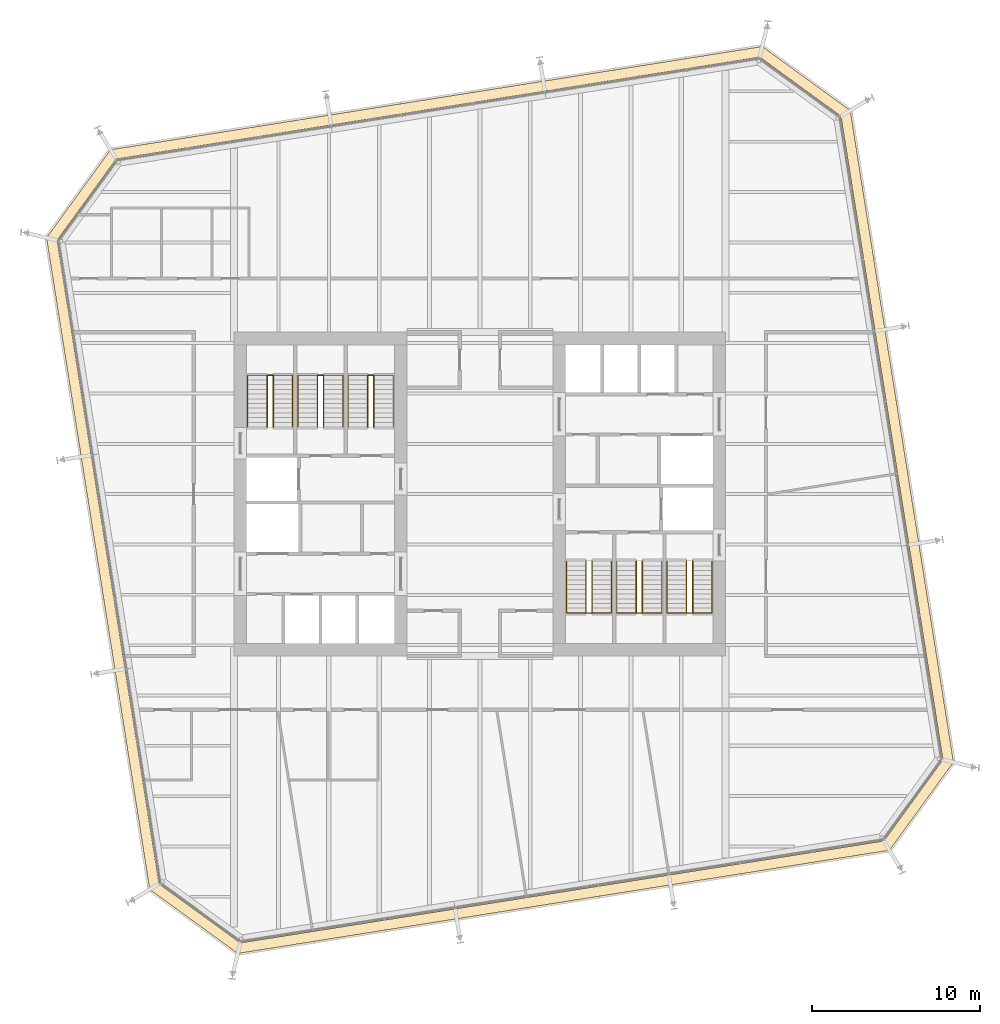
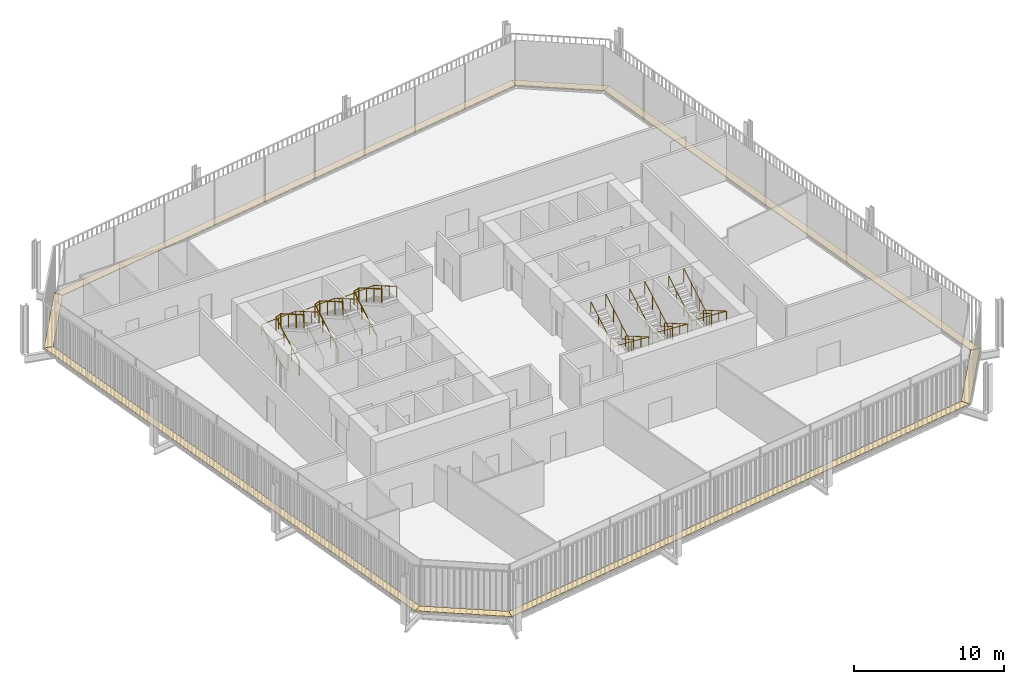
# One storey, part 21 of 21: 12 railings, 8 coverings.
"""IFC4 building model written with IfcOpenShell, lengths in metres."""

from ifc_helpers import new_model, si_unit, direction, frame, origin, origin_2d, place, context, subcontext, project, spatial, polyline, circle, outline, extrude, material, layer, layer_set, type_object, element, save


model = new_model("IFC4")

# Units and contexts
model_context = context("Model", 3, precision=1e-05, world=origin(), true_north=direction((0.0, 1.0)))
body_context = subcontext(model_context, "Body", "Model", "MODEL_VIEW")
ifc_project = project(units=[si_unit("LENGTHUNIT", "METRE"), si_unit("AREAUNIT", "SQUARE_METRE"), si_unit("VOLUMEUNIT", "CUBIC_METRE"), si_unit("PLANEANGLEUNIT", "RADIAN"), si_unit("MASSUNIT", "GRAM", prefix="KILO")], contexts=[model_context])

# Site, building, storey
site_placement = place(None, origin())
site = spatial("IfcSite", under=ifc_project, at=site_placement, CompositionType="ELEMENT")
building_placement = place(site_placement, origin())
building = spatial("IfcBuilding", under=site, at=building_placement, Name="Millrace Tower", CompositionType="ELEMENT")
storey_placement = place(building_placement, frame((0.0, 0.0, 191.699951171875)))
storey = spatial("IfcBuildingStorey", under=building, at=storey_placement, Name="L43", CompositionType="ELEMENT", Elevation=191.699951171875)

# Coverings
ifc_material_1 = material(Name="Steel ASTM A36", Category="steel")
ifc_layer = layer(ifc_material_1, 0.050048828125)
ifc_layer_set = layer_set([ifc_layer], Name="Steel ASTM A36")
covering_type = type_object("IfcCoveringType", Name="CAVITY CATWALK steel grating", PredefinedType="FLOORING", material=ifc_layer_set)
placement = place(storey_placement, frame((0.0, 0.0, 0.10009765625)))
element("IfcCovering", 1, at=placement, inside=storey, type_object=covering_type, Name="Cavity catwalk grating C-F01 L43 1", PredefinedType="FLOORING", context=body_context, shape_type="SweptSolid", body=[
    extrude(outline(polyline([(-19.67578125, -23.562255859375), (-14.425048828125, -27.376953125), (-14.2734375, -26.74560546875), (-19.1220703125, -23.222900390625), (-19.67578125, -23.562255859375)])), origin(), (0.0, 0.0, 1.0), 0.050048828125),
])
element("IfcCovering", 2, at=placement, inside=storey, type_object=covering_type, Name="Cavity catwalk grating C-F02 L43 1", PredefinedType="FLOORING", context=body_context, shape_type="SweptSolid", body=[
    extrude(outline(polyline([(-14.425048828125, -27.376953125), (24.412109375, -21.225830078125), (24.07275390625, -20.672119140625), (-14.2734375, -26.74560546875), (-14.425048828125, -27.376953125)])), origin(), (0.0, 0.0, 1.0), 0.050048828125),
])
element("IfcCovering", 3, at=placement, inside=storey, type_object=covering_type, Name="Cavity catwalk grating C-F03 L43 1", PredefinedType="FLOORING", context=body_context, shape_type="SweptSolid", body=[
    extrude(outline(polyline([(24.412109375, -21.225830078125), (28.22705078125, -15.97509765625), (27.595458984375, -15.823486328125), (24.07275390625, -20.672119140625), (24.412109375, -21.225830078125)])), origin(), (0.0, 0.0, 1.0), 0.050048828125),
])
element("IfcCovering", 4, at=placement, inside=storey, type_object=covering_type, Name="Cavity catwalk grating C-F04 L43 1", PredefinedType="FLOORING", context=body_context, shape_type="SweptSolid", body=[
    extrude(outline(polyline([(28.22705078125, -15.97509765625), (22.075927734375, 22.862060546875), (21.522216796875, 22.522705078125), (27.595458984375, -15.823486328125), (28.22705078125, -15.97509765625)])), origin(), (0.0, 0.0, 1.0), 0.050048828125),
])
element("IfcCovering", 5, at=placement, inside=storey, type_object=covering_type, Name="Cavity catwalk grating C-F05 L43 1", PredefinedType="FLOORING", context=body_context, shape_type="SweptSolid", body=[
    extrude(outline(polyline([(22.075927734375, 22.862060546875), (16.824951171875, 26.677001953125), (16.67333984375, 26.045654296875), (21.522216796875, 22.522705078125), (22.075927734375, 22.862060546875)])), origin(), (0.0, 0.0, 1.0), 0.050048828125),
])
element("IfcCovering", 6, at=placement, inside=storey, type_object=covering_type, Name="Cavity catwalk grating C-F06 L43 1", PredefinedType="FLOORING", context=body_context, shape_type="SweptSolid", body=[
    extrude(outline(polyline([(16.824951171875, 26.677001953125), (-22.01220703125, 20.52587890625), (-21.6728515625, 19.97216796875), (16.67333984375, 26.045654296875), (16.824951171875, 26.677001953125)])), origin(), (0.0, 0.0, 1.0), 0.050048828125),
])
element("IfcCovering", 7, at=placement, inside=storey, type_object=covering_type, Name="Cavity catwalk grating C-F07 L43 1", PredefinedType="FLOORING", context=body_context, shape_type="SweptSolid", body=[
    extrude(outline(polyline([(-22.01220703125, 20.52587890625), (-25.8271484375, 15.275146484375), (-25.195556640625, 15.12353515625), (-21.6728515625, 19.97216796875), (-22.01220703125, 20.52587890625)])), origin(), (0.0, 0.0, 1.0), 0.050048828125),
])
element("IfcCovering", 8, at=placement, inside=storey, type_object=covering_type, Name="Cavity catwalk grating C-F08 L43 1", PredefinedType="FLOORING", context=body_context, shape_type="SweptSolid", body=[
    extrude(outline(polyline([(-25.8271484375, 15.275146484375), (-19.67578125, -23.562255859375), (-19.1220703125, -23.222900390625), (-25.195556640625, 15.12353515625), (-25.8271484375, 15.275146484375)])), origin(), (0.0, 0.0, 1.0), 0.050048828125),
])

# Railings
ifc_material_2 = material(Name="Stainless steel ASTM A240 type 316", Category="steel")
railing_type_1 = type_object("IfcRailingType", Name="Stair guard 1100", PredefinedType="GUARDRAIL", material=ifc_material_2)
for number, where, name in (
    (9, (-12.679931640625, 4.0, 0.16259765625), "Stair guard 1 W L43"),
    (10, (-9.679931640625, 4.0, 0.16259765625), "Stair guard 2 W L43"),
    (11, (-6.679931640625, 4.0, 0.16259765625), "Stair guard 3 W L43"),
):
    element("IfcRailing", number, at=place(storey_placement, frame(where)), inside=storey, type_object=railing_type_1, Name=name, PredefinedType="GUARDRAIL", context=body_context, shape_type="SweptSolid", body=[
        extrude(circle(Radius=0.02392578125, at=origin_2d()), frame((0.0, 0.0, 1.076171875), z_axis=(0.0, 0.864920483161, 0.501908913857), x_axis=(-1.0, 0.0, 0.0)), (0.0, 0.0, 1.0), 3.56103515625),
        extrude(circle(Radius=0.02392578125, at=origin_2d()), frame((0.0, 3.080078125, 2.86328125), z_axis=(0.911295775139, 0.0, 0.411752365158), x_axis=(0.0, 1.0, 0.0)), (0.0, 0.0, 1.0), 0.394775390625),
        extrude(circle(Radius=0.02392578125, at=origin_2d()), frame((0.35986328125, 3.080078125, 3.02587890625), z_axis=(0.0, -0.864890721111, 0.501960198159), x_axis=(1.0, 0.0, 0.0)), (0.0, 0.0, 1.0), 3.561279296875),
        extrude(circle(Radius=0.02099609375, at=origin_2d()), origin(), (0.0, 0.0, 1.0), 1.052001953125),
        extrude(circle(Radius=0.02099609375, at=origin_2d()), frame((0.0, 1.026611328125, 0.595703125)), (0.0, 0.0, 1.0), 1.052001953125),
        extrude(circle(Radius=0.02099609375, at=origin_2d()), frame((0.0, 2.053466796875, 1.191650390625)), (0.0, 0.0, 1.0), 1.052001953125),
        extrude(circle(Radius=0.02099609375, at=origin_2d()), frame((0.0, 3.080078125, 1.787353515625)), (0.0, 0.0, 1.0), 1.052001953125),
        extrude(circle(Radius=0.02099609375, at=origin_2d()), frame((0.35986328125, 3.080078125, 1.949951171875)), (0.0, 0.0, 1.0), 1.052001953125),
        extrude(circle(Radius=0.02099609375, at=origin_2d()), frame((0.35986328125, 2.053466796875, 2.5458984375)), (0.0, 0.0, 1.0), 1.052001953125),
        extrude(circle(Radius=0.02099609375, at=origin_2d()), frame((0.35986328125, 1.026611328125, 3.1416015625)), (0.0, 0.0, 1.0), 1.052001953125),
        extrude(circle(Radius=0.02099609375, at=origin_2d()), frame((0.35986328125, 0.0, 3.737548828125)), (0.0, 0.0, 1.0), 1.052001953125),
    ])
for number, where, name in (
    (12, (12.679931640625, -4.0, 0.16259765625), "Stair guard 1 E L43"),
    (13, (9.679931640625, -4.0, 0.16259765625), "Stair guard 2 E L43"),
    (14, (6.679931640625, -4.0, 0.16259765625), "Stair guard 3 E L43"),
):
    element("IfcRailing", number, at=place(storey_placement, frame(where)), inside=storey, type_object=railing_type_1, Name=name, PredefinedType="GUARDRAIL", context=body_context, shape_type="SweptSolid", body=[
        extrude(circle(Radius=0.02392578125, at=origin_2d()), frame((0.0, 0.0, 1.076171875), z_axis=(0.0, -0.864920483161, 0.501908913857), x_axis=(1.0, 0.0, 0.0)), (0.0, 0.0, 1.0), 3.56103515625),
        extrude(circle(Radius=0.02392578125, at=origin_2d()), frame((0.0, -3.080078125, 2.86328125), z_axis=(-0.911295775139, 0.0, 0.411752365158), x_axis=(0.0, -1.0, 0.0)), (0.0, 0.0, 1.0), 0.394775390625),
        extrude(circle(Radius=0.02392578125, at=origin_2d()), frame((-0.35986328125, -3.080078125, 3.02587890625), z_axis=(0.0, 0.864890721111, 0.501960198159), x_axis=(-1.0, 0.0, 0.0)), (0.0, 0.0, 1.0), 3.561279296875),
        extrude(circle(Radius=0.02099609375, at=origin_2d()), origin(), (0.0, 0.0, 1.0), 1.052001953125),
        extrude(circle(Radius=0.02099609375, at=origin_2d()), frame((0.0, -1.026611328125, 0.595703125)), (0.0, 0.0, 1.0), 1.052001953125),
        extrude(circle(Radius=0.02099609375, at=origin_2d()), frame((0.0, -2.053466796875, 1.191650390625)), (0.0, 0.0, 1.0), 1.052001953125),
        extrude(circle(Radius=0.02099609375, at=origin_2d()), frame((0.0, -3.080078125, 1.787353515625)), (0.0, 0.0, 1.0), 1.052001953125),
        extrude(circle(Radius=0.02099609375, at=origin_2d()), frame((-0.35986328125, -3.080078125, 1.949951171875)), (0.0, 0.0, 1.0), 1.052001953125),
        extrude(circle(Radius=0.02099609375, at=origin_2d()), frame((-0.35986328125, -2.053466796875, 2.5458984375)), (0.0, 0.0, 1.0), 1.052001953125),
        extrude(circle(Radius=0.02099609375, at=origin_2d()), frame((-0.35986328125, -1.026611328125, 3.1416015625)), (0.0, 0.0, 1.0), 1.052001953125),
        extrude(circle(Radius=0.02099609375, at=origin_2d()), frame((-0.35986328125, 0.0, 3.737548828125)), (0.0, 0.0, 1.0), 1.052001953125),
    ])
ifc_material_3 = material(Name="Stainless steel ASTM A240 type 316", Category="steel")
railing_type_2 = type_object("IfcRailingType", Name="Stair handrail 900", PredefinedType="HANDRAIL", material=ifc_material_3)
railing_1_placement = place(storey_placement, frame((-13.840087890625, 4.0, 0.16259765625)))
element("IfcRailing", 15, at=railing_1_placement, inside=storey, type_object=railing_type_2, Name="Stair handrail 1 W L43", PredefinedType="HANDRAIL", context=body_context, shape_type="SweptSolid", body=[
    extrude(circle(Radius=0.02392578125, at=origin_2d()), frame((0.0, 0.0, 0.8759765625), z_axis=(0.0, 0.864920483161, 0.501908913857), x_axis=(-1.0, 0.0, 0.0)), (0.0, 0.0, 1.0), 3.56103515625),
    extrude(circle(Radius=0.02392578125, at=origin_2d()), frame((0.0, 3.080078125, 2.6630859375), z_axis=(0.998164834547, 0.0, 0.060555454528), x_axis=(0.0, 1.0, 0.0)), (0.0, 0.0, 1.0), 2.68505859375),
    extrude(circle(Radius=0.02392578125, at=origin_2d()), frame((2.68017578125, 3.080078125, 2.82568359375), z_axis=(0.0, -0.864890721111, 0.501960198159), x_axis=(1.0, 0.0, 0.0)), (0.0, 0.0, 1.0), 3.561279296875),
    extrude(circle(Radius=0.02099609375, at=origin_2d()), origin(), (0.0, 0.0, 1.0), 0.851806640625),
    extrude(circle(Radius=0.02099609375, at=origin_2d()), frame((0.0, 1.026611328125, 0.595703125)), (0.0, 0.0, 1.0), 0.851806640625),
    extrude(circle(Radius=0.02099609375, at=origin_2d()), frame((0.0, 2.053466796875, 1.191650390625)), (0.0, 0.0, 1.0), 0.851806640625),
    extrude(circle(Radius=0.02099609375, at=origin_2d()), frame((0.0, 3.080078125, 1.787353515625)), (0.0, 0.0, 1.0), 0.851806640625),
    extrude(circle(Radius=0.02099609375, at=origin_2d()), frame((1.340087890625, 3.080078125, 1.86865234375)), (0.0, 0.0, 1.0), 0.851806640625),
    extrude(circle(Radius=0.02099609375, at=origin_2d()), frame((2.68017578125, 3.080078125, 1.949951171875)), (0.0, 0.0, 1.0), 0.851806640625),
    extrude(circle(Radius=0.02099609375, at=origin_2d()), frame((2.68017578125, 2.053466796875, 2.5458984375)), (0.0, 0.0, 1.0), 0.851806640625),
    extrude(circle(Radius=0.02099609375, at=origin_2d()), frame((2.68017578125, 1.026611328125, 3.1416015625)), (0.0, 0.0, 1.0), 0.851806640625),
    extrude(circle(Radius=0.02099609375, at=origin_2d()), frame((2.68017578125, 0.0, 3.737548828125)), (0.0, 0.0, 1.0), 0.851806640625),
])
railing_2_placement = place(storey_placement, frame((-10.840087890625, 4.0, 0.16259765625)))
element("IfcRailing", 16, at=railing_2_placement, inside=storey, type_object=railing_type_2, Name="Stair handrail 2 W L43", PredefinedType="HANDRAIL", context=body_context, shape_type="SweptSolid", body=[
    extrude(circle(Radius=0.02392578125, at=origin_2d()), frame((0.0, 0.0, 0.8759765625), z_axis=(0.0, 0.864920483161, 0.501908913857), x_axis=(-1.0, 0.0, 0.0)), (0.0, 0.0, 1.0), 3.56103515625),
    extrude(circle(Radius=0.02392578125, at=origin_2d()), frame((0.0, 3.080078125, 2.6630859375), z_axis=(0.998164834547, 0.0, 0.060555454528), x_axis=(0.0, 1.0, 0.0)), (0.0, 0.0, 1.0), 2.68505859375),
    extrude(circle(Radius=0.02392578125, at=origin_2d()), frame((2.68017578125, 3.080078125, 2.82568359375), z_axis=(0.0, -0.864890721111, 0.501960198159), x_axis=(1.0, 0.0, 0.0)), (0.0, 0.0, 1.0), 3.561279296875),
    extrude(circle(Radius=0.02099609375, at=origin_2d()), origin(), (0.0, 0.0, 1.0), 0.851806640625),
    extrude(circle(Radius=0.02099609375, at=origin_2d()), frame((0.0, 1.026611328125, 0.595703125)), (0.0, 0.0, 1.0), 0.851806640625),
    extrude(circle(Radius=0.02099609375, at=origin_2d()), frame((0.0, 2.053466796875, 1.191650390625)), (0.0, 0.0, 1.0), 0.851806640625),
    extrude(circle(Radius=0.02099609375, at=origin_2d()), frame((0.0, 3.080078125, 1.787353515625)), (0.0, 0.0, 1.0), 0.851806640625),
    extrude(circle(Radius=0.02099609375, at=origin_2d()), frame((1.340087890625, 3.080078125, 1.86865234375)), (0.0, 0.0, 1.0), 0.851806640625),
    extrude(circle(Radius=0.02099609375, at=origin_2d()), frame((2.68017578125, 3.080078125, 1.949951171875)), (0.0, 0.0, 1.0), 0.851806640625),
    extrude(circle(Radius=0.02099609375, at=origin_2d()), frame((2.68017578125, 2.053466796875, 2.5458984375)), (0.0, 0.0, 1.0), 0.851806640625),
    extrude(circle(Radius=0.02099609375, at=origin_2d()), frame((2.68017578125, 1.026611328125, 3.1416015625)), (0.0, 0.0, 1.0), 0.851806640625),
    extrude(circle(Radius=0.02099609375, at=origin_2d()), frame((2.68017578125, 0.0, 3.737548828125)), (0.0, 0.0, 1.0), 0.851806640625),
])
railing_3_placement = place(storey_placement, frame((-7.840087890625, 4.0, 0.16259765625)))
element("IfcRailing", 17, at=railing_3_placement, inside=storey, type_object=railing_type_2, Name="Stair handrail 3 W L43", PredefinedType="HANDRAIL", context=body_context, shape_type="SweptSolid", body=[
    extrude(circle(Radius=0.02392578125, at=origin_2d()), frame((0.0, 0.0, 0.8759765625), z_axis=(0.0, 0.864920483161, 0.501908913857), x_axis=(-1.0, 0.0, 0.0)), (0.0, 0.0, 1.0), 3.56103515625),
    extrude(circle(Radius=0.02392578125, at=origin_2d()), frame((0.0, 3.080078125, 2.6630859375), z_axis=(0.998164834547, 0.0, 0.060555454528), x_axis=(0.0, 1.0, 0.0)), (0.0, 0.0, 1.0), 2.68505859375),
    extrude(circle(Radius=0.02392578125, at=origin_2d()), frame((2.68017578125, 3.080078125, 2.82568359375), z_axis=(0.0, -0.864890721111, 0.501960198159), x_axis=(1.0, 0.0, 0.0)), (0.0, 0.0, 1.0), 3.561279296875),
    extrude(circle(Radius=0.02099609375, at=origin_2d()), origin(), (0.0, 0.0, 1.0), 0.851806640625),
    extrude(circle(Radius=0.02099609375, at=origin_2d()), frame((0.0, 1.026611328125, 0.595703125)), (0.0, 0.0, 1.0), 0.851806640625),
    extrude(circle(Radius=0.02099609375, at=origin_2d()), frame((0.0, 2.053466796875, 1.191650390625)), (0.0, 0.0, 1.0), 0.851806640625),
    extrude(circle(Radius=0.02099609375, at=origin_2d()), frame((0.0, 3.080078125, 1.787353515625)), (0.0, 0.0, 1.0), 0.851806640625),
    extrude(circle(Radius=0.02099609375, at=origin_2d()), frame((1.340087890625, 3.080078125, 1.86865234375)), (0.0, 0.0, 1.0), 0.851806640625),
    extrude(circle(Radius=0.02099609375, at=origin_2d()), frame((2.68017578125, 3.080078125, 1.949951171875)), (0.0, 0.0, 1.0), 0.851806640625),
    extrude(circle(Radius=0.02099609375, at=origin_2d()), frame((2.68017578125, 2.053466796875, 2.5458984375)), (0.0, 0.0, 1.0), 0.851806640625),
    extrude(circle(Radius=0.02099609375, at=origin_2d()), frame((2.68017578125, 1.026611328125, 3.1416015625)), (0.0, 0.0, 1.0), 0.851806640625),
    extrude(circle(Radius=0.02099609375, at=origin_2d()), frame((2.68017578125, 0.0, 3.737548828125)), (0.0, 0.0, 1.0), 0.851806640625),
])
railing_4_placement = place(storey_placement, frame((13.840087890625, -4.0, 0.16259765625)))
element("IfcRailing", 18, at=railing_4_placement, inside=storey, type_object=railing_type_2, Name="Stair handrail 1 E L43", PredefinedType="HANDRAIL", context=body_context, shape_type="SweptSolid", body=[
    extrude(circle(Radius=0.02392578125, at=origin_2d()), frame((0.0, 0.0, 0.8759765625), z_axis=(0.0, -0.864920483161, 0.501908913857), x_axis=(1.0, 0.0, 0.0)), (0.0, 0.0, 1.0), 3.56103515625),
    extrude(circle(Radius=0.02392578125, at=origin_2d()), frame((0.0, -3.080078125, 2.6630859375), z_axis=(-0.998164834547, 0.0, 0.060555454528), x_axis=(0.0, -1.0, 0.0)), (0.0, 0.0, 1.0), 2.68505859375),
    extrude(circle(Radius=0.02392578125, at=origin_2d()), frame((-2.68017578125, -3.080078125, 2.82568359375), z_axis=(0.0, 0.864890721111, 0.501960198159), x_axis=(-1.0, 0.0, 0.0)), (0.0, 0.0, 1.0), 3.561279296875),
    extrude(circle(Radius=0.02099609375, at=origin_2d()), origin(), (0.0, 0.0, 1.0), 0.851806640625),
    extrude(circle(Radius=0.02099609375, at=origin_2d()), frame((0.0, -1.026611328125, 0.595703125)), (0.0, 0.0, 1.0), 0.851806640625),
    extrude(circle(Radius=0.02099609375, at=origin_2d()), frame((0.0, -2.053466796875, 1.191650390625)), (0.0, 0.0, 1.0), 0.851806640625),
    extrude(circle(Radius=0.02099609375, at=origin_2d()), frame((0.0, -3.080078125, 1.787353515625)), (0.0, 0.0, 1.0), 0.851806640625),
    extrude(circle(Radius=0.02099609375, at=origin_2d()), frame((-1.340087890625, -3.080078125, 1.86865234375)), (0.0, 0.0, 1.0), 0.851806640625),
    extrude(circle(Radius=0.02099609375, at=origin_2d()), frame((-2.68017578125, -3.080078125, 1.949951171875)), (0.0, 0.0, 1.0), 0.851806640625),
    extrude(circle(Radius=0.02099609375, at=origin_2d()), frame((-2.68017578125, -2.053466796875, 2.5458984375)), (0.0, 0.0, 1.0), 0.851806640625),
    extrude(circle(Radius=0.02099609375, at=origin_2d()), frame((-2.68017578125, -1.026611328125, 3.1416015625)), (0.0, 0.0, 1.0), 0.851806640625),
    extrude(circle(Radius=0.02099609375, at=origin_2d()), frame((-2.68017578125, 0.0, 3.737548828125)), (0.0, 0.0, 1.0), 0.851806640625),
])
railing_5_placement = place(storey_placement, frame((10.840087890625, -4.0, 0.16259765625)))
element("IfcRailing", 19, at=railing_5_placement, inside=storey, type_object=railing_type_2, Name="Stair handrail 2 E L43", PredefinedType="HANDRAIL", context=body_context, shape_type="SweptSolid", body=[
    extrude(circle(Radius=0.02392578125, at=origin_2d()), frame((0.0, 0.0, 0.8759765625), z_axis=(0.0, -0.864920483161, 0.501908913857), x_axis=(1.0, 0.0, 0.0)), (0.0, 0.0, 1.0), 3.56103515625),
    extrude(circle(Radius=0.02392578125, at=origin_2d()), frame((0.0, -3.080078125, 2.6630859375), z_axis=(-0.998164834547, 0.0, 0.060555454528), x_axis=(0.0, -1.0, 0.0)), (0.0, 0.0, 1.0), 2.68505859375),
    extrude(circle(Radius=0.02392578125, at=origin_2d()), frame((-2.68017578125, -3.080078125, 2.82568359375), z_axis=(0.0, 0.864890721111, 0.501960198159), x_axis=(-1.0, 0.0, 0.0)), (0.0, 0.0, 1.0), 3.561279296875),
    extrude(circle(Radius=0.02099609375, at=origin_2d()), origin(), (0.0, 0.0, 1.0), 0.851806640625),
    extrude(circle(Radius=0.02099609375, at=origin_2d()), frame((0.0, -1.026611328125, 0.595703125)), (0.0, 0.0, 1.0), 0.851806640625),
    extrude(circle(Radius=0.02099609375, at=origin_2d()), frame((0.0, -2.053466796875, 1.191650390625)), (0.0, 0.0, 1.0), 0.851806640625),
    extrude(circle(Radius=0.02099609375, at=origin_2d()), frame((0.0, -3.080078125, 1.787353515625)), (0.0, 0.0, 1.0), 0.851806640625),
    extrude(circle(Radius=0.02099609375, at=origin_2d()), frame((-1.340087890625, -3.080078125, 1.86865234375)), (0.0, 0.0, 1.0), 0.851806640625),
    extrude(circle(Radius=0.02099609375, at=origin_2d()), frame((-2.68017578125, -3.080078125, 1.949951171875)), (0.0, 0.0, 1.0), 0.851806640625),
    extrude(circle(Radius=0.02099609375, at=origin_2d()), frame((-2.68017578125, -2.053466796875, 2.5458984375)), (0.0, 0.0, 1.0), 0.851806640625),
    extrude(circle(Radius=0.02099609375, at=origin_2d()), frame((-2.68017578125, -1.026611328125, 3.1416015625)), (0.0, 0.0, 1.0), 0.851806640625),
    extrude(circle(Radius=0.02099609375, at=origin_2d()), frame((-2.68017578125, 0.0, 3.737548828125)), (0.0, 0.0, 1.0), 0.851806640625),
])
railing_6_placement = place(storey_placement, frame((7.840087890625, -4.0, 0.16259765625)))
element("IfcRailing", 20, at=railing_6_placement, inside=storey, type_object=railing_type_2, Name="Stair handrail 3 E L43", PredefinedType="HANDRAIL", context=body_context, shape_type="SweptSolid", body=[
    extrude(circle(Radius=0.02392578125, at=origin_2d()), frame((0.0, 0.0, 0.8759765625), z_axis=(0.0, -0.864920483161, 0.501908913857), x_axis=(1.0, 0.0, 0.0)), (0.0, 0.0, 1.0), 3.56103515625),
    extrude(circle(Radius=0.02392578125, at=origin_2d()), frame((0.0, -3.080078125, 2.6630859375), z_axis=(-0.998164834547, 0.0, 0.060555454528), x_axis=(0.0, -1.0, 0.0)), (0.0, 0.0, 1.0), 2.68505859375),
    extrude(circle(Radius=0.02392578125, at=origin_2d()), frame((-2.68017578125, -3.080078125, 2.82568359375), z_axis=(0.0, 0.864890721111, 0.501960198159), x_axis=(-1.0, 0.0, 0.0)), (0.0, 0.0, 1.0), 3.561279296875),
    extrude(circle(Radius=0.02099609375, at=origin_2d()), origin(), (0.0, 0.0, 1.0), 0.851806640625),
    extrude(circle(Radius=0.02099609375, at=origin_2d()), frame((0.0, -1.026611328125, 0.595703125)), (0.0, 0.0, 1.0), 0.851806640625),
    extrude(circle(Radius=0.02099609375, at=origin_2d()), frame((0.0, -2.053466796875, 1.191650390625)), (0.0, 0.0, 1.0), 0.851806640625),
    extrude(circle(Radius=0.02099609375, at=origin_2d()), frame((0.0, -3.080078125, 1.787353515625)), (0.0, 0.0, 1.0), 0.851806640625),
    extrude(circle(Radius=0.02099609375, at=origin_2d()), frame((-1.340087890625, -3.080078125, 1.86865234375)), (0.0, 0.0, 1.0), 0.851806640625),
    extrude(circle(Radius=0.02099609375, at=origin_2d()), frame((-2.68017578125, -3.080078125, 1.949951171875)), (0.0, 0.0, 1.0), 0.851806640625),
    extrude(circle(Radius=0.02099609375, at=origin_2d()), frame((-2.68017578125, -2.053466796875, 2.5458984375)), (0.0, 0.0, 1.0), 0.851806640625),
    extrude(circle(Radius=0.02099609375, at=origin_2d()), frame((-2.68017578125, -1.026611328125, 3.1416015625)), (0.0, 0.0, 1.0), 0.851806640625),
    extrude(circle(Radius=0.02099609375, at=origin_2d()), frame((-2.68017578125, 0.0, 3.737548828125)), (0.0, 0.0, 1.0), 0.851806640625),
])

save(model, "model.ifc")
